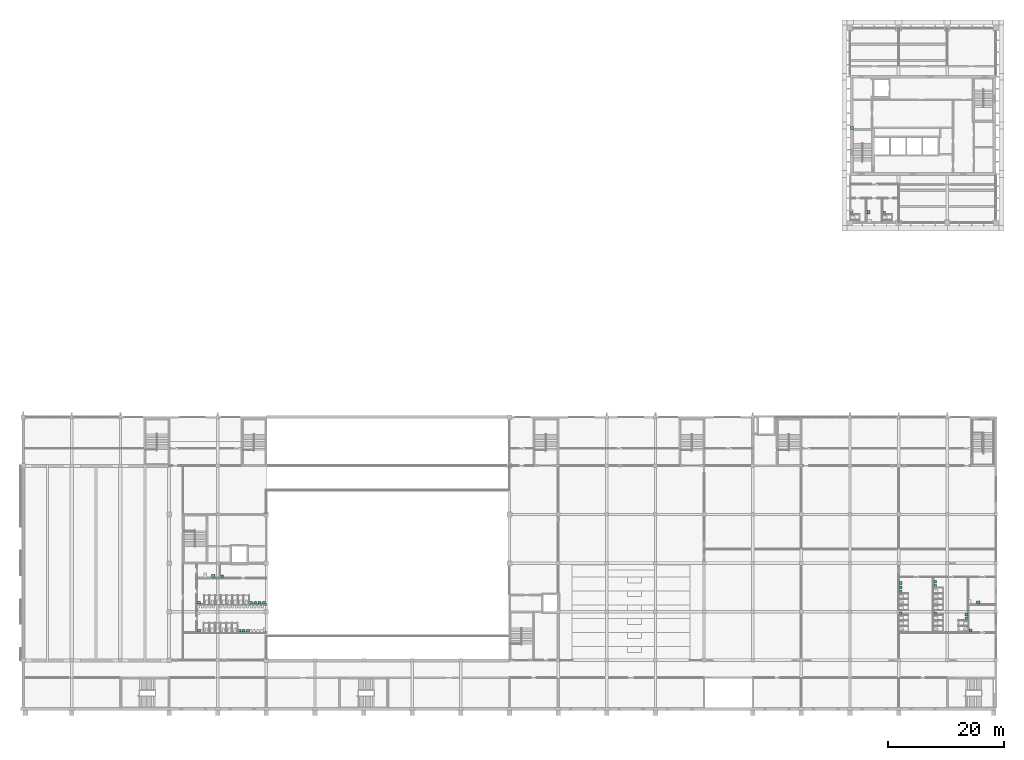
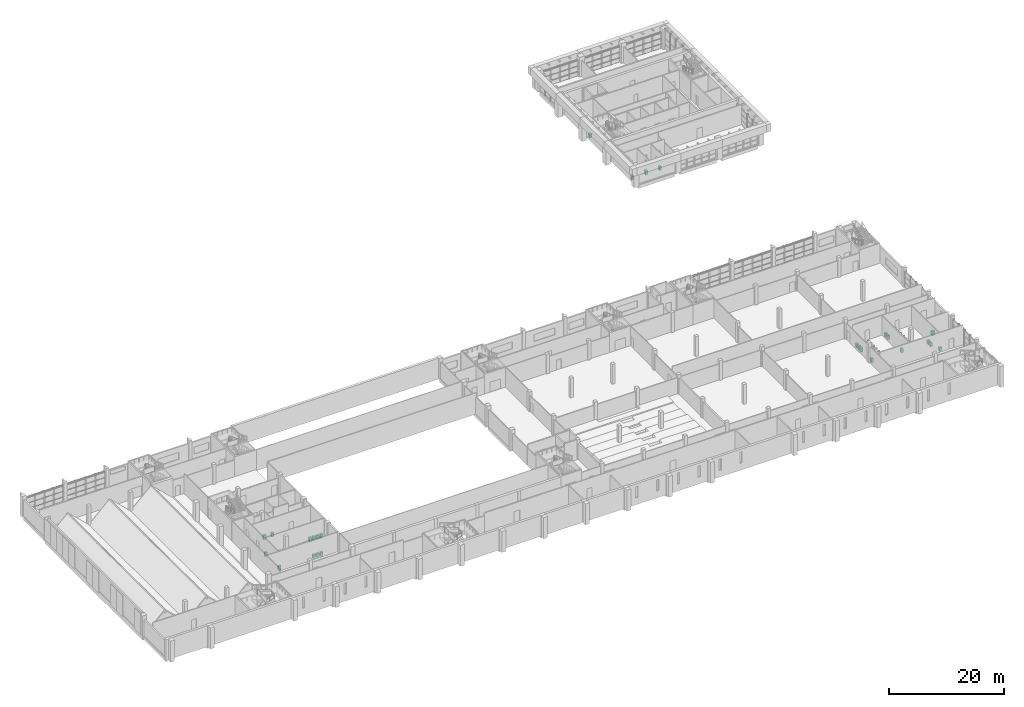
# One storey, part 54 of 56: 26 sanitary terminals.
"""IFC4 building model written with IfcOpenShell, lengths in metres."""

from ifc_helpers import new_model, si_unit, direction, frame, origin, origin_2d, place, context, subcontext, project, spatial, rectangle, extrude, material, type_object, element, save


model = new_model("IFC4")

# Units and contexts
model_context = context("Model", 3, precision=1e-05, world=origin(), true_north=direction((0.0, 1.0)))
body_context = subcontext(model_context, "Body", "Model", "MODEL_VIEW")
ifc_project = project(units=[si_unit("LENGTHUNIT", "METRE"), si_unit("AREAUNIT", "SQUARE_METRE"), si_unit("VOLUMEUNIT", "CUBIC_METRE"), si_unit("PLANEANGLEUNIT", "RADIAN"), si_unit("MASSUNIT", "GRAM", prefix="KILO")], contexts=[model_context])

# Site, building, storey
site_placement = place(None, origin())
site = spatial("IfcSite", under=ifc_project, at=site_placement, CompositionType="ELEMENT")
building_placement = place(site_placement, origin())
building = spatial("IfcBuilding", under=site, at=building_placement, Name="Rulbaag Community and Learning Centre", CompositionType="ELEMENT")
storey_placement = place(building_placement, frame((0.0, 0.0, 9.89990234375)))
storey = spatial("IfcBuildingStorey", under=building, at=storey_placement, Name="L02", CompositionType="ELEMENT", Elevation=9.89990234375)

# Sanitary terminals
ifc_material_1 = material(Name="Vitreous china", Category="ceramic")
sanitary_terminal_type_1 = type_object("IfcSanitaryTerminalType", Name="BS-500", PredefinedType="WASHHANDBASIN", material=ifc_material_1)
for number, where, z_axis, x_axis, name in (
    (1, (30.3798828125, 13.544921875, 0.0), (0.0, 0.0, 1.0), (1.0, 0.0, 0.0), "Basin 43"),
    (2, (37.330078125, 13.544921875, 0.0), (0.0, 0.0, 1.0), (1.0, 0.0, 0.0), "Basin 44"),
    (3, (38.080078125, 13.544921875, 0.0), (0.0, 0.0, 1.0), (1.0, 0.0, 0.0), "Basin 45"),
    (4, (38.830078125, 13.544921875, 0.0), (0.0, 0.0, 1.0), (1.0, 0.0, 0.0), "Basin 46"),
):
    element("IfcSanitaryTerminal", number, at=place(storey_placement, frame(where, z_axis=z_axis, x_axis=x_axis)), inside=storey, type_object=sanitary_terminal_type_1, Name=name, PredefinedType="WASHHANDBASIN", context=body_context, shape_type="SweptSolid", body=[
        extrude(rectangle(XDim=0.5, YDim=0.429931640625, at=origin_2d()), origin(), (0.0, 0.0, 1.0), 0.85009765625),
    ])
for number, where, z_axis, x_axis, name in (
    (5, (151.544921875, 16.530029296875, 0.0), (0.0, 0.0, 1.0), (1.0, 0.0, 0.0), "Basin 47"),
    (6, (151.544921875, 20.22998046875, 0.0), (0.0, 0.0, 1.0), (1.0, 0.0, 0.0), "Basin 48"),
    (7, (151.544921875, 20.97998046875, 0.0), (0.0, 0.0, 1.0), (1.0, 0.0, 0.0), "Basin 49"),
    (8, (151.544921875, 21.72998046875, 0.0), (0.0, 0.0, 1.0), (1.0, 0.0, 0.0), "Basin 50"),
    (9, (157.544921875, 16.530029296875, 0.0), (0.0, 0.0, 1.0), (1.0, 0.0, 0.0), "Basin 51"),
    (10, (157.544921875, 21.22998046875, 0.0), (0.0, 0.0, 1.0), (1.0, 0.0, 0.0), "Basin 52"),
    (11, (157.544921875, 21.97998046875, 0.0), (0.0, 0.0, 1.0), (1.0, 0.0, 0.0), "Basin 53"),
    (12, (162.85498046875, 15.580078125, 0.0), (0.0, 0.0, 1.0), (1.0, 0.0, 0.0), "Basin 54"),
    (13, (162.85498046875, 16.330078125, 0.0), (0.0, 0.0, 1.0), (1.0, 0.0, 0.0), "Basin 55"),
):
    element("IfcSanitaryTerminal", number, at=place(storey_placement, frame(where, z_axis=z_axis, x_axis=x_axis)), inside=storey, type_object=sanitary_terminal_type_1, Name=name, PredefinedType="WASHHANDBASIN", context=body_context, shape_type="SweptSolid", body=[
        extrude(rectangle(XDim=0.429931640625, YDim=0.5, at=origin_2d()), origin(), (0.0, 0.0, 1.0), 0.85009765625),
    ])
for number, where, z_axis, x_axis, name in (
    (14, (30.3798828125, 18.344970703125, 0.0), (0.0, 0.0, 1.0), (1.0, 0.0, 0.0), "Basin 56"),
    (15, (39.330078125, 18.344970703125, 0.0), (0.0, 0.0, 1.0), (1.0, 0.0, 0.0), "Basin 57"),
    (16, (40.080078125, 18.344970703125, 0.0), (0.0, 0.0, 1.0), (1.0, 0.0, 0.0), "Basin 58"),
    (17, (40.830078125, 18.344970703125, 0.0), (0.0, 0.0, 1.0), (1.0, 0.0, 0.0), "Basin 59"),
    (18, (41.580078125, 18.344970703125, 0.0), (0.0, 0.0, 1.0), (1.0, 0.0, 0.0), "Basin 60"),
):
    element("IfcSanitaryTerminal", number, at=place(storey_placement, frame(where, z_axis=z_axis, x_axis=x_axis)), inside=storey, type_object=sanitary_terminal_type_1, Name=name, PredefinedType="WASHHANDBASIN", context=body_context, shape_type="SweptSolid", body=[
        extrude(rectangle(XDim=0.5, YDim=0.429931640625, at=origin_2d()), origin(), (0.0, 0.0, 1.0), 0.85009765625),
    ])
for number, where, z_axis, x_axis, name in (
    (19, (143.14501953125, 85.679931640625, 0.0), (0.0, 0.0, 1.0), (1.0, 0.0, 0.0), "Basin 69"),
    (20, (148.7451171875, 85.679931640625, 0.0), (0.0, 0.0, 1.0), (1.0, 0.0, 0.0), "Basin 70"),
):
    element("IfcSanitaryTerminal", number, at=place(storey_placement, frame(where, z_axis=z_axis, x_axis=x_axis)), inside=storey, type_object=sanitary_terminal_type_1, Name=name, PredefinedType="WASHHANDBASIN", context=body_context, shape_type="SweptSolid", body=[
        extrude(rectangle(XDim=0.429931640625, YDim=0.5, at=origin_2d()), origin(), (0.0, 0.0, 1.0), 0.85009765625),
    ])
sanitary_terminal_type_2 = type_object("IfcSanitaryTerminalType", Name="BS-AC-600", PredefinedType="WASHHANDBASIN", material=ifc_material_1)
for number, where, z_axis, x_axis, name in (
    (21, (32.830078125, 22.97998046875, 0.0), (0.0, 0.0, 1.0), (1.0, 0.0, 0.0), "Basin 61"),
    (22, (164.929931640625, 18.3798828125, 0.0), (0.0, 0.0, 1.0), (1.0, 0.0, 0.0), "Basin 62"),
):
    element("IfcSanitaryTerminal", number, at=place(storey_placement, frame(where, z_axis=z_axis, x_axis=x_axis)), inside=storey, type_object=sanitary_terminal_type_2, Name=name, PredefinedType="WASHHANDBASIN", context=body_context, shape_type="SweptSolid", body=[
        extrude(rectangle(XDim=0.60009765625, YDim=0.5, at=origin_2d()), origin(), (0.0, 0.0, 1.0), 0.85009765625),
    ])
sanitary_terminal_1_placement = place(storey_placement, frame((145.97998046875, 85.780029296875, 0.0), z_axis=(0.0, 0.0, 1.0), x_axis=(1.0, 0.0, 0.0)))
element("IfcSanitaryTerminal", 23, at=sanitary_terminal_1_placement, inside=storey, type_object=sanitary_terminal_type_2, Name="Basin 71", PredefinedType="WASHHANDBASIN", context=body_context, shape_type="SweptSolid", body=[
    extrude(rectangle(XDim=0.5, YDim=0.60009765625, at=origin_2d()), origin(), (0.0, 0.0, 1.0), 0.85009765625),
])
ifc_material_2 = material(Name="Stainless steel", Category="steel")
sanitary_terminal_type_3 = type_object("IfcSanitaryTerminalType", Name="SK-CL-500", PredefinedType="SINK", material=ifc_material_2)
for number, where, z_axis, x_axis, name in (
    (24, (34.3798828125, 22.955078125, 0.0), (0.0, 0.0, 1.0), (1.0, 0.0, 0.0), "Sink 08"),
    (25, (163.580078125, 13.554931640625, 0.0), (0.0, 0.0, 1.0), (1.0, 0.0, 0.0), "Sink 09"),
):
    element("IfcSanitaryTerminal", number, at=place(storey_placement, frame(where, z_axis=z_axis, x_axis=x_axis)), inside=storey, type_object=sanitary_terminal_type_3, Name=name, PredefinedType="SINK", context=body_context, shape_type="SweptSolid", body=[
        extrude(rectangle(XDim=0.5, YDim=0.449951171875, at=origin_2d()), origin(), (0.0, 0.0, 1.0), 0.800048828125),
    ])
sanitary_terminal_2_placement = place(storey_placement, frame((143.155029296875, 100.3798828125, 0.0), z_axis=(0.0, 0.0, 1.0), x_axis=(1.0, 0.0, 0.0)))
element("IfcSanitaryTerminal", 26, at=sanitary_terminal_2_placement, inside=storey, type_object=sanitary_terminal_type_3, Name="Sink 11", PredefinedType="SINK", context=body_context, shape_type="SweptSolid", body=[
    extrude(rectangle(XDim=0.449951171875, YDim=0.5, at=origin_2d()), origin(), (0.0, 0.0, 1.0), 0.800048828125),
])

save(model, "model.ifc")
